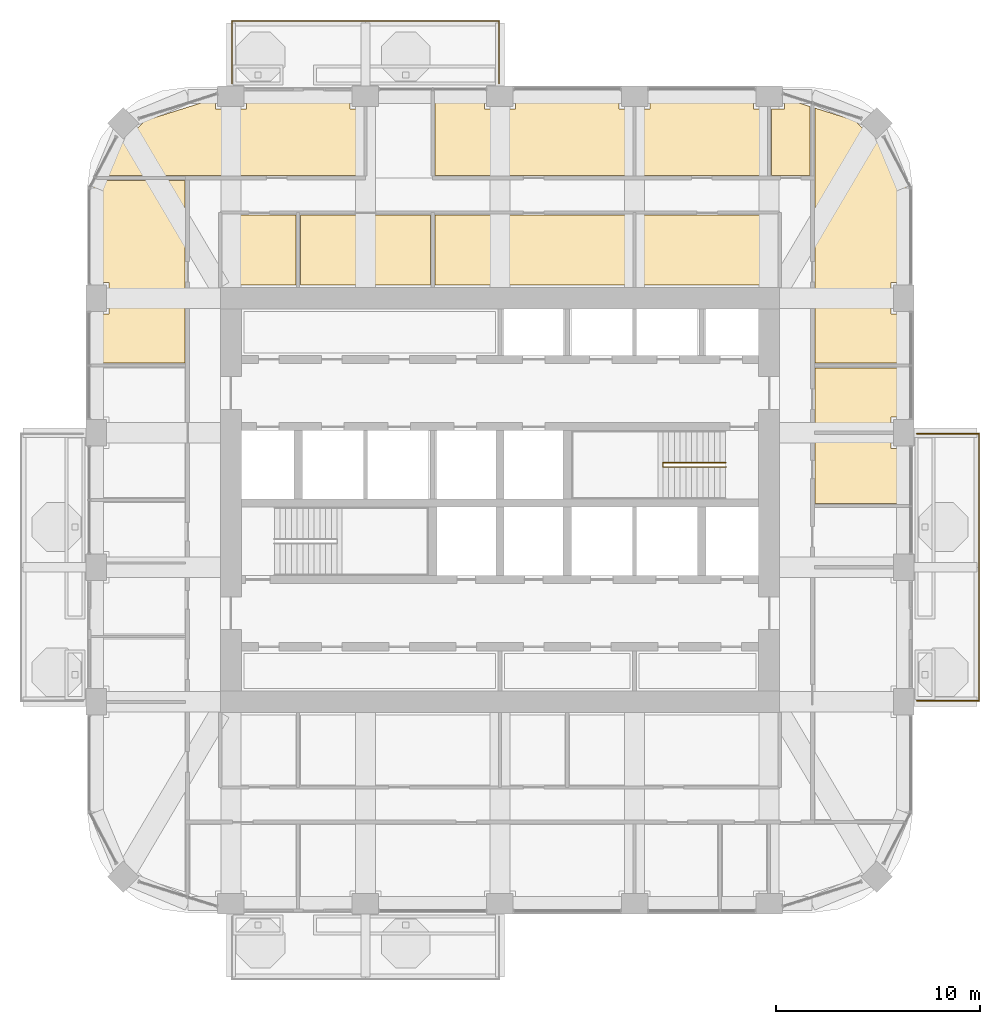
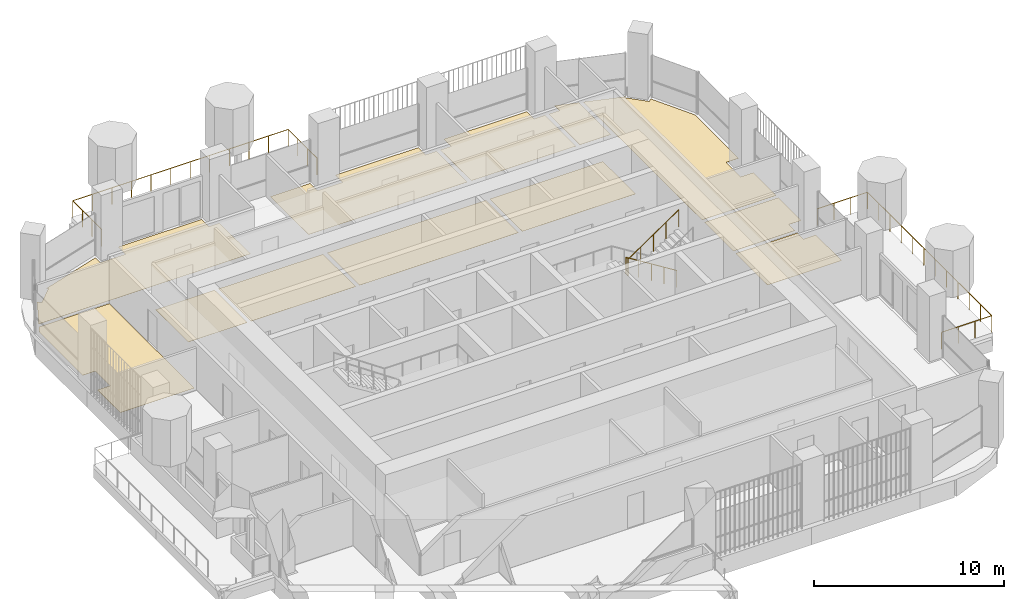
# One storey, part 18 of 19: 12 coverings, 3 railings.
"""IFC4 building model written with IfcOpenShell, lengths in metres."""

import ifcopenshell
import ifcopenshell.guid

model = None  # the IFC model being written
_history = None  # IfcOwnerHistory: only IFC2X3 demands one
_inside = {}  # id of a spatial element -> (the spatial element, [elements in it])
_under = {}  # id of a project, library or spatial element -> (it, [spatial elements below it])
_declared = {}  # id of a project -> (the project, [libraries it declares])
_typed = {}  # id of a type object -> (the type object, [elements of that type])
_made_of = {}  # id of a material, layer set ... -> (it, [elements and type objects made of it])


def new_model(schema):
    """Start an empty IFC model of exactly this schema.

    Asked for "IFC4X3", IfcOpenShell would pick the latest addendum, in which some entities
    have other attributes; the version numbers below select the first issue.
    IFC2X3 requires an IfcOwnerHistory on every rooted entity: one is made here for all.
    """
    global model, _history
    if schema == "IFC4X3":
        model = ifcopenshell.file(schema_version=(4, 3, 0, 0))
    else:
        model = ifcopenshell.file(schema=schema)
    _inside.clear()
    _under.clear()
    _declared.clear()
    _typed.clear()
    _made_of.clear()
    _history = None
    if model.schema == "IFC2X3":
        org = make("IfcOrganization", Name="unknown")
        user = make(
            "IfcPersonAndOrganization",
            ThePerson=make("IfcPerson", FamilyName="unknown"),
            TheOrganization=org,
        )
        app = make(
            "IfcApplication",
            ApplicationDeveloper=org,
            Version="unknown",
            ApplicationFullName="unknown",
            ApplicationIdentifier="unknown",
        )
        _history = make(
            "IfcOwnerHistory",
            OwningUser=user,
            OwningApplication=app,
            ChangeAction="ADDED",
            CreationDate=0,
        )
    return model


def make(cls, **values):
    """One entity of the class cls with the attributes given. An attribute that is None is left unset."""
    return model.create_entity(
        cls, **{name: value for name, value in values.items() if value is not None}
    )


def rooted(cls, **values):
    """An entity with a GlobalId (a new one), such as an element, a storey or a relation."""
    return make(cls, GlobalId=ifcopenshell.guid.new(), OwnerHistory=_history, **values)


def si_unit(unit_type, name, prefix=None):
    """IfcSIUnit, for example si_unit("LENGTHUNIT", "METRE", prefix="MILLI")."""
    return make("IfcSIUnit", UnitType=unit_type, Prefix=prefix, Name=name)


def assignment(units):
    """IfcUnitAssignment: the units of a project."""
    return None if units is None else make("IfcUnitAssignment", Units=units)


def point(xyz):
    """IfcCartesianPoint."""
    return None if xyz is None else make("IfcCartesianPoint", Coordinates=xyz)


def direction(xyz):
    """IfcDirection."""
    return None if xyz is None else make("IfcDirection", DirectionRatios=xyz)


def frame(location, z_axis=None, x_axis=None):
    """IfcAxis2Placement3D, a coordinate frame: its origin and axes. An axis left out is left unset."""
    return make(
        "IfcAxis2Placement3D",
        Location=point(location),
        Axis=direction(z_axis),
        RefDirection=direction(x_axis),
    )


def origin():
    """The frame at (0, 0, 0) with its axes left unset."""
    return frame((0.0, 0.0, 0.0))


def place(relative_to, where):
    """IfcLocalPlacement: puts the frame where relative to a parent placement (None: the world)."""
    return make(
        "IfcLocalPlacement", PlacementRelTo=relative_to, RelativePlacement=where
    )


def context(
    kind, dimensions, precision=None, world=None, true_north=None, identifier=None
):
    """IfcGeometricRepresentationContext, for example the 3D "Model" context."""
    return make(
        "IfcGeometricRepresentationContext",
        ContextIdentifier=identifier,
        ContextType=kind,
        CoordinateSpaceDimension=dimensions,
        Precision=precision,
        WorldCoordinateSystem=world,
        TrueNorth=true_north,
    )


def subcontext(parent, identifier, kind, view, scale=None):
    """IfcGeometricRepresentationSubContext, for example "Body" below "Model"."""
    return make(
        "IfcGeometricRepresentationSubContext",
        ContextIdentifier=identifier,
        ContextType=kind,
        ParentContext=parent,
        TargetScale=scale,
        TargetView=view,
    )


def project(units=None, contexts=None):
    """IfcProject with its units and contexts."""
    return rooted(
        "IfcProject",
        Name="project",
        RepresentationContexts=contexts,
        UnitsInContext=assignment(units),
    )


def spatial(cls, under=None, at=None, **own):
    """A site, building, storey or space (cls), placed at a placement, below another one or the project."""
    s = rooted(cls, ObjectPlacement=at, **own)
    if under is not None:
        _under.setdefault(under.id(), (under, []))[1].append(s)
    return s


def polyline(points):
    """IfcPolyline through the points."""
    return make("IfcPolyline", Points=[point(p) for p in points])


def outline(outer, holes=None, kind="AREA"):
    """IfcArbitraryClosedProfileDef: a profile drawn as a closed curve; with holes, ...WithVoids."""
    if holes is None:
        return make("IfcArbitraryClosedProfileDef", ProfileType=kind, OuterCurve=outer)
    return make(
        "IfcArbitraryProfileDefWithVoids",
        ProfileType=kind,
        OuterCurve=outer,
        InnerCurves=holes,
    )


def extrude(swept, where, along, depth):
    """IfcExtrudedAreaSolid: the profile swept, set in the frame where, extruded along a direction by depth."""
    return make(
        "IfcExtrudedAreaSolid",
        SweptArea=swept,
        Position=where,
        ExtrudedDirection=direction(along),
        Depth=depth,
    )


def shape(context_of_items, identifier, shape_type, items):
    """IfcShapeRepresentation: the items that make up one representation, for example the "Body"."""
    return make(
        "IfcShapeRepresentation",
        ContextOfItems=context_of_items,
        RepresentationIdentifier=identifier,
        RepresentationType=shape_type,
        Items=items,
    )


def material(Name=None, Category=None):
    """IfcMaterial."""
    return make("IfcMaterial", Name=Name, Category=Category)


def layer(
    of_material, thickness, ventilated=None, Name=None, Category=None, Priority=None
):
    """IfcMaterialLayer: one layer of a wall or slab, of a material (None: an air gap)."""
    return make(
        "IfcMaterialLayer",
        Material=of_material,
        LayerThickness=thickness,
        IsVentilated=ventilated,
        Name=Name,
        Category=Category,
        Priority=Priority,
    )


def layer_set(layers, Name=None):
    """IfcMaterialLayerSet."""
    return make("IfcMaterialLayerSet", MaterialLayers=layers, LayerSetName=Name)


def made_of(thing, what):
    """Note that an element or type object is made of a material, layer set ...; save() writes the relation."""
    if what is not None:
        _made_of.setdefault(what.id(), (what, []))[1].append(thing)
    return thing


def type_object(cls, material=None, **own):
    """A type object (cls), such as IfcWallType, which elements share."""
    return made_of(rooted(cls, **own), material)


def element(
    cls,
    number,
    at=None,
    inside=None,
    cuts=None,
    type_object=None,
    material=None,
    context=None,
    identifier="Body",
    shape_type=None,
    held_by="IfcProductDefinitionShape",
    body=None,
    shapes=None,
    **own,
):
    """One element of the class cls, such as IfcWall. Its Tag is "e" and its number.

    at: its placement. inside: the storey or other place that contains it. cuts: it is an
    opening in that element (IfcRelVoidsElement). A single representation is given by context,
    identifier, shape_type and body (its items); several are given by shapes. held_by: the class
    of the entity that holds the representations. save() writes the other relations.
    """
    e = rooted(cls, Tag="e%d" % number, ObjectPlacement=at, **own)
    if body is not None:
        shapes = [shape(context, identifier, shape_type, body)]
    if shapes is not None:
        e.Representation = make(held_by, Representations=shapes)
    if inside is not None:
        _inside.setdefault(inside.id(), (inside, []))[1].append(e)
    if cuts is not None:
        rooted(
            "IfcRelVoidsElement", RelatingBuildingElement=cuts, RelatedOpeningElement=e
        )
    if type_object is not None:
        _typed.setdefault(type_object.id(), (type_object, []))[1].append(e)
    return made_of(e, material)


def aggregate(whole, parts):
    """IfcRelAggregates: a whole, such as a stair, and the parts it consists of."""
    return rooted("IfcRelAggregates", RelatingObject=whole, RelatedObjects=parts)


def save(model, path):
    """Write the relations noted so far, then the file.

    IfcRelAggregates (storeys below a building ...), IfcRelContainedInSpatialStructure (elements
    in a storey), IfcRelDefinesByType, IfcRelAssociatesMaterial and IfcRelDeclares: one each for
    every whole, place, type object, material and project.
    """
    for whole, parts in _under.values():
        aggregate(whole, parts)
    for where, things in _inside.values():
        rooted(
            "IfcRelContainedInSpatialStructure",
            RelatedElements=things,
            RelatingStructure=where,
        )
    for kind, things in _typed.values():
        rooted("IfcRelDefinesByType", RelatedObjects=things, RelatingType=kind)
    for what, things in _made_of.values():
        rooted("IfcRelAssociatesMaterial", RelatedObjects=things, RelatingMaterial=what)
    for by, libraries in _declared.values():
        rooted("IfcRelDeclares", RelatingContext=by, RelatedDefinitions=libraries)
    model.write(path)


model = new_model("IFC4")

# Units and contexts
model_context = context("Model", 3, precision=1e-05, world=origin(), true_north=direction((0.0, 1.0)))
body_context = subcontext(model_context, "Body", "Model", "MODEL_VIEW")
ifc_project = project(units=[si_unit("LENGTHUNIT", "METRE"), si_unit("AREAUNIT", "SQUARE_METRE"), si_unit("VOLUMEUNIT", "CUBIC_METRE"), si_unit("PLANEANGLEUNIT", "RADIAN"), si_unit("MASSUNIT", "GRAM", prefix="KILO")], contexts=[model_context])

# Site, building, storey
site_placement = place(None, origin())
site = spatial("IfcSite", under=ifc_project, at=site_placement, CompositionType="ELEMENT")
building_placement = place(site_placement, origin())
building = spatial("IfcBuilding", under=site, at=building_placement, Name="Cobogo Forest Laboratory Tower", CompositionType="ELEMENT")
storey_placement = place(building_placement, frame((0.0, 0.0, 237.60009765625)))
storey = spatial("IfcBuildingStorey", under=building, at=storey_placement, Name="L54", CompositionType="ELEMENT", Elevation=237.60009765625)

# Railings
ifc_material_1 = material(Name="Laminated glass balustrade", Category="glass")
railing_type_1 = type_object("IfcRailingType", Name="BG1 glass balustrade 1100", PredefinedType="GUARDRAIL", material=ifc_material_1)
railing_1_placement = place(storey_placement, frame((46.85009765625, 13.25, 0.0)))
element("IfcRailing", 1, at=railing_1_placement, inside=storey, type_object=railing_type_1, Name="Balcony balustrade BAL-E1 L54", PredefinedType="GUARDRAIL", context=body_context, shape_type="SweptSolid", body=[
    extrude(outline(polyline([(0.022216796875, 0.00927734375), (0.00927734375, 0.022216796875), (-0.00927734375, 0.022216796875), (-0.022216796875, 0.00927734375), (-0.022216796875, -0.00927734375), (-0.00927734375, -0.022216796875), (0.00927734375, -0.022216796875), (0.022216796875, -0.00927734375), (0.022216796875, 0.00927734375)])), frame((0.0, 0.0, 1.077880859375), z_axis=(1.0, 0.0, 0.0), x_axis=(0.0, 1.0, 0.0)), (0.0, 0.0, 1.0), 3.0498046875),
    extrude(outline(polyline([(0.022216796875, 0.00927734375), (0.00927734375, 0.022216796875), (-0.00927734375, 0.022216796875), (-0.022216796875, 0.00927734375), (-0.022216796875, -0.00927734375), (-0.00927734375, -0.022216796875), (0.00927734375, -0.022216796875), (0.022216796875, -0.00927734375), (0.022216796875, 0.00927734375)])), frame((3.0498046875, 0.0, 1.077880859375), z_axis=(0.0, 1.0, 0.0), x_axis=(-1.0, 0.0, 0.0)), (0.0, 0.0, 1.0), 13.10009765625),
    extrude(outline(polyline([(0.022216796875, 0.00927734375), (0.00927734375, 0.022216796875), (-0.00927734375, 0.022216796875), (-0.022216796875, 0.00927734375), (-0.022216796875, -0.00927734375), (-0.00927734375, -0.022216796875), (0.00927734375, -0.022216796875), (0.022216796875, -0.00927734375), (0.022216796875, 0.00927734375)])), frame((3.0498046875, 13.10009765625, 1.077880859375), z_axis=(-1.0, 0.0, 0.0), x_axis=(0.0, -1.0, 0.0)), (0.0, 0.0, 1.0), 3.0498046875),
    extrude(outline(polyline([(0.019287109375, 0.008056640625), (0.008056640625, 0.019287109375), (-0.008056640625, 0.019287109375), (-0.019287109375, 0.008056640625), (-0.019287109375, -0.008056640625), (-0.008056640625, -0.019287109375), (0.008056640625, -0.019287109375), (0.019287109375, -0.008056640625), (0.019287109375, 0.008056640625)])), origin(), (0.0, 0.0, 1.0), 1.077880859375),
    extrude(outline(polyline([(0.019287109375, 0.008056640625), (0.008056640625, 0.019287109375), (-0.008056640625, 0.019287109375), (-0.019287109375, 0.008056640625), (-0.019287109375, -0.008056640625), (-0.008056640625, -0.019287109375), (0.008056640625, -0.019287109375), (0.019287109375, -0.008056640625), (0.019287109375, 0.008056640625)])), frame((1.0166015625, 0.0, 0.0)), (0.0, 0.0, 1.0), 1.077880859375),
    extrude(outline(polyline([(0.019287109375, 0.008056640625), (0.008056640625, 0.019287109375), (-0.008056640625, 0.019287109375), (-0.019287109375, 0.008056640625), (-0.019287109375, -0.008056640625), (-0.008056640625, -0.019287109375), (0.008056640625, -0.019287109375), (0.019287109375, -0.008056640625), (0.019287109375, 0.008056640625)])), frame((2.033203125, 0.0, 0.0)), (0.0, 0.0, 1.0), 1.077880859375),
    extrude(outline(polyline([(0.019287109375, 0.008056640625), (0.008056640625, 0.019287109375), (-0.008056640625, 0.019287109375), (-0.019287109375, 0.008056640625), (-0.019287109375, -0.008056640625), (-0.008056640625, -0.019287109375), (0.008056640625, -0.019287109375), (0.019287109375, -0.008056640625), (0.019287109375, 0.008056640625)])), frame((3.0498046875, 0.0, 0.0)), (0.0, 0.0, 1.0), 1.077880859375),
    extrude(outline(polyline([(0.019287109375, 0.008056640625), (0.008056640625, 0.019287109375), (-0.008056640625, 0.019287109375), (-0.019287109375, 0.008056640625), (-0.019287109375, -0.008056640625), (-0.008056640625, -0.019287109375), (0.008056640625, -0.019287109375), (0.019287109375, -0.008056640625), (0.019287109375, 0.008056640625)])), frame((3.0498046875, 1.19091796875, 0.0)), (0.0, 0.0, 1.0), 1.077880859375),
    extrude(outline(polyline([(0.019287109375, 0.008056640625), (0.008056640625, 0.019287109375), (-0.008056640625, 0.019287109375), (-0.019287109375, 0.008056640625), (-0.019287109375, -0.008056640625), (-0.008056640625, -0.019287109375), (0.008056640625, -0.019287109375), (0.019287109375, -0.008056640625), (0.019287109375, 0.008056640625)])), frame((3.0498046875, 2.3818359375, 0.0)), (0.0, 0.0, 1.0), 1.077880859375),
    extrude(outline(polyline([(0.019287109375, 0.008056640625), (0.008056640625, 0.019287109375), (-0.008056640625, 0.019287109375), (-0.019287109375, 0.008056640625), (-0.019287109375, -0.008056640625), (-0.008056640625, -0.019287109375), (0.008056640625, -0.019287109375), (0.019287109375, -0.008056640625), (0.019287109375, 0.008056640625)])), frame((3.0498046875, 3.57275390625, 0.0)), (0.0, 0.0, 1.0), 1.077880859375),
    extrude(outline(polyline([(0.019287109375, 0.008056640625), (0.008056640625, 0.019287109375), (-0.008056640625, 0.019287109375), (-0.019287109375, 0.008056640625), (-0.019287109375, -0.008056640625), (-0.008056640625, -0.019287109375), (0.008056640625, -0.019287109375), (0.019287109375, -0.008056640625), (0.019287109375, 0.008056640625)])), frame((3.0498046875, 4.763671875, 0.0)), (0.0, 0.0, 1.0), 1.077880859375),
    extrude(outline(polyline([(0.019287109375, 0.008056640625), (0.008056640625, 0.019287109375), (-0.008056640625, 0.019287109375), (-0.019287109375, 0.008056640625), (-0.019287109375, -0.008056640625), (-0.008056640625, -0.019287109375), (0.008056640625, -0.019287109375), (0.019287109375, -0.008056640625), (0.019287109375, 0.008056640625)])), frame((3.0498046875, 5.95458984375, 0.0)), (0.0, 0.0, 1.0), 1.077880859375),
    extrude(outline(polyline([(0.019287109375, 0.008056640625), (0.008056640625, 0.019287109375), (-0.008056640625, 0.019287109375), (-0.019287109375, 0.008056640625), (-0.019287109375, -0.008056640625), (-0.008056640625, -0.019287109375), (0.008056640625, -0.019287109375), (0.019287109375, -0.008056640625), (0.019287109375, 0.008056640625)])), frame((3.0498046875, 7.1455078125, 0.0)), (0.0, 0.0, 1.0), 1.077880859375),
    extrude(outline(polyline([(0.019287109375, 0.008056640625), (0.008056640625, 0.019287109375), (-0.008056640625, 0.019287109375), (-0.019287109375, 0.008056640625), (-0.019287109375, -0.008056640625), (-0.008056640625, -0.019287109375), (0.008056640625, -0.019287109375), (0.019287109375, -0.008056640625), (0.019287109375, 0.008056640625)])), frame((3.0498046875, 8.33642578125, 0.0)), (0.0, 0.0, 1.0), 1.077880859375),
    extrude(outline(polyline([(0.019287109375, 0.008056640625), (0.008056640625, 0.019287109375), (-0.008056640625, 0.019287109375), (-0.019287109375, 0.008056640625), (-0.019287109375, -0.008056640625), (-0.008056640625, -0.019287109375), (0.008056640625, -0.019287109375), (0.019287109375, -0.008056640625), (0.019287109375, 0.008056640625)])), frame((3.0498046875, 9.52734375, 0.0)), (0.0, 0.0, 1.0), 1.077880859375),
    extrude(outline(polyline([(0.019287109375, 0.008056640625), (0.008056640625, 0.019287109375), (-0.008056640625, 0.019287109375), (-0.019287109375, 0.008056640625), (-0.019287109375, -0.008056640625), (-0.008056640625, -0.019287109375), (0.008056640625, -0.019287109375), (0.019287109375, -0.008056640625), (0.019287109375, 0.008056640625)])), frame((3.0498046875, 10.71826171875, 0.0)), (0.0, 0.0, 1.0), 1.077880859375),
    extrude(outline(polyline([(0.019287109375, 0.008056640625), (0.008056640625, 0.019287109375), (-0.008056640625, 0.019287109375), (-0.019287109375, 0.008056640625), (-0.019287109375, -0.008056640625), (-0.008056640625, -0.019287109375), (0.008056640625, -0.019287109375), (0.019287109375, -0.008056640625), (0.019287109375, 0.008056640625)])), frame((3.0498046875, 11.9091796875, 0.0)), (0.0, 0.0, 1.0), 1.077880859375),
    extrude(outline(polyline([(0.019287109375, 0.008056640625), (0.008056640625, 0.019287109375), (-0.008056640625, 0.019287109375), (-0.019287109375, 0.008056640625), (-0.019287109375, -0.008056640625), (-0.008056640625, -0.019287109375), (0.008056640625, -0.019287109375), (0.019287109375, -0.008056640625), (0.019287109375, 0.008056640625)])), frame((3.0498046875, 13.10009765625, 0.0)), (0.0, 0.0, 1.0), 1.077880859375),
    extrude(outline(polyline([(0.019287109375, 0.008056640625), (0.008056640625, 0.019287109375), (-0.008056640625, 0.019287109375), (-0.019287109375, 0.008056640625), (-0.019287109375, -0.008056640625), (-0.008056640625, -0.019287109375), (0.008056640625, -0.019287109375), (0.019287109375, -0.008056640625), (0.019287109375, 0.008056640625)])), frame((2.033203125, 13.10009765625, 0.0)), (0.0, 0.0, 1.0), 1.077880859375),
    extrude(outline(polyline([(0.019287109375, 0.008056640625), (0.008056640625, 0.019287109375), (-0.008056640625, 0.019287109375), (-0.019287109375, 0.008056640625), (-0.019287109375, -0.008056640625), (-0.008056640625, -0.019287109375), (0.008056640625, -0.019287109375), (0.019287109375, -0.008056640625), (0.019287109375, 0.008056640625)])), frame((1.0166015625, 13.10009765625, 0.0)), (0.0, 0.0, 1.0), 1.077880859375),
    extrude(outline(polyline([(0.019287109375, 0.008056640625), (0.008056640625, 0.019287109375), (-0.008056640625, 0.019287109375), (-0.019287109375, 0.008056640625), (-0.019287109375, -0.008056640625), (-0.008056640625, -0.019287109375), (0.008056640625, -0.019287109375), (0.019287109375, -0.008056640625), (0.019287109375, 0.008056640625)])), frame((0.0, 13.10009765625, 0.0)), (0.0, 0.0, 1.0), 1.077880859375),
])
railing_2_placement = place(storey_placement, frame((13.25, 43.550048828125, 0.0)))
element("IfcRailing", 2, at=railing_2_placement, inside=storey, type_object=railing_type_1, Name="Balcony balustrade BAL-N1 L54", PredefinedType="GUARDRAIL", context=body_context, shape_type="SweptSolid", body=[
    extrude(outline(polyline([(0.022216796875, 0.00927734375), (0.00927734375, 0.022216796875), (-0.00927734375, 0.022216796875), (-0.022216796875, 0.00927734375), (-0.022216796875, -0.00927734375), (-0.00927734375, -0.022216796875), (0.00927734375, -0.022216796875), (0.022216796875, -0.00927734375), (0.022216796875, 0.00927734375)])), frame((0.0, 0.0, 1.077880859375), z_axis=(0.0, 1.0, 0.0), x_axis=(-1.0, 0.0, 0.0)), (0.0, 0.0, 1.0), 3.050048828125),
    extrude(outline(polyline([(0.022216796875, 0.00927734375), (0.00927734375, 0.022216796875), (-0.00927734375, 0.022216796875), (-0.022216796875, 0.00927734375), (-0.022216796875, -0.00927734375), (-0.00927734375, -0.022216796875), (0.00927734375, -0.022216796875), (0.022216796875, -0.00927734375), (0.022216796875, 0.00927734375)])), frame((0.0, 3.050048828125, 1.077880859375), z_axis=(1.0, 0.0, 0.0), x_axis=(0.0, 1.0, 0.0)), (0.0, 0.0, 1.0), 13.10009765625),
    extrude(outline(polyline([(0.022216796875, 0.00927734375), (0.00927734375, 0.022216796875), (-0.00927734375, 0.022216796875), (-0.022216796875, 0.00927734375), (-0.022216796875, -0.00927734375), (-0.00927734375, -0.022216796875), (0.00927734375, -0.022216796875), (0.022216796875, -0.00927734375), (0.022216796875, 0.00927734375)])), frame((13.10009765625, 3.050048828125, 1.077880859375), z_axis=(0.0, -1.0, 0.0), x_axis=(1.0, 0.0, 0.0)), (0.0, 0.0, 1.0), 3.050048828125),
    extrude(outline(polyline([(0.019287109375, 0.008056640625), (0.008056640625, 0.019287109375), (-0.008056640625, 0.019287109375), (-0.019287109375, 0.008056640625), (-0.019287109375, -0.008056640625), (-0.008056640625, -0.019287109375), (0.008056640625, -0.019287109375), (0.019287109375, -0.008056640625), (0.019287109375, 0.008056640625)])), origin(), (0.0, 0.0, 1.0), 1.077880859375),
    extrude(outline(polyline([(0.019287109375, 0.008056640625), (0.008056640625, 0.019287109375), (-0.008056640625, 0.019287109375), (-0.019287109375, 0.008056640625), (-0.019287109375, -0.008056640625), (-0.008056640625, -0.019287109375), (0.008056640625, -0.019287109375), (0.019287109375, -0.008056640625), (0.019287109375, 0.008056640625)])), frame((0.0, 1.0166015625, 0.0)), (0.0, 0.0, 1.0), 1.077880859375),
    extrude(outline(polyline([(0.019287109375, 0.008056640625), (0.008056640625, 0.019287109375), (-0.008056640625, 0.019287109375), (-0.019287109375, 0.008056640625), (-0.019287109375, -0.008056640625), (-0.008056640625, -0.019287109375), (0.008056640625, -0.019287109375), (0.019287109375, -0.008056640625), (0.019287109375, 0.008056640625)])), frame((0.0, 2.033447265625, 0.0)), (0.0, 0.0, 1.0), 1.077880859375),
    extrude(outline(polyline([(0.019287109375, 0.008056640625), (0.008056640625, 0.019287109375), (-0.008056640625, 0.019287109375), (-0.019287109375, 0.008056640625), (-0.019287109375, -0.008056640625), (-0.008056640625, -0.019287109375), (0.008056640625, -0.019287109375), (0.019287109375, -0.008056640625), (0.019287109375, 0.008056640625)])), frame((0.0, 3.050048828125, 0.0)), (0.0, 0.0, 1.0), 1.077880859375),
    extrude(outline(polyline([(0.019287109375, 0.008056640625), (0.008056640625, 0.019287109375), (-0.008056640625, 0.019287109375), (-0.019287109375, 0.008056640625), (-0.019287109375, -0.008056640625), (-0.008056640625, -0.019287109375), (0.008056640625, -0.019287109375), (0.019287109375, -0.008056640625), (0.019287109375, 0.008056640625)])), frame((1.19091796875, 3.050048828125, 0.0)), (0.0, 0.0, 1.0), 1.077880859375),
    extrude(outline(polyline([(0.019287109375, 0.008056640625), (0.008056640625, 0.019287109375), (-0.008056640625, 0.019287109375), (-0.019287109375, 0.008056640625), (-0.019287109375, -0.008056640625), (-0.008056640625, -0.019287109375), (0.008056640625, -0.019287109375), (0.019287109375, -0.008056640625), (0.019287109375, 0.008056640625)])), frame((2.3818359375, 3.050048828125, 0.0)), (0.0, 0.0, 1.0), 1.077880859375),
    extrude(outline(polyline([(0.019287109375, 0.008056640625), (0.008056640625, 0.019287109375), (-0.008056640625, 0.019287109375), (-0.019287109375, 0.008056640625), (-0.019287109375, -0.008056640625), (-0.008056640625, -0.019287109375), (0.008056640625, -0.019287109375), (0.019287109375, -0.008056640625), (0.019287109375, 0.008056640625)])), frame((3.57275390625, 3.050048828125, 0.0)), (0.0, 0.0, 1.0), 1.077880859375),
    extrude(outline(polyline([(0.019287109375, 0.008056640625), (0.008056640625, 0.019287109375), (-0.008056640625, 0.019287109375), (-0.019287109375, 0.008056640625), (-0.019287109375, -0.008056640625), (-0.008056640625, -0.019287109375), (0.008056640625, -0.019287109375), (0.019287109375, -0.008056640625), (0.019287109375, 0.008056640625)])), frame((4.763671875, 3.050048828125, 0.0)), (0.0, 0.0, 1.0), 1.077880859375),
    extrude(outline(polyline([(0.019287109375, 0.008056640625), (0.008056640625, 0.019287109375), (-0.008056640625, 0.019287109375), (-0.019287109375, 0.008056640625), (-0.019287109375, -0.008056640625), (-0.008056640625, -0.019287109375), (0.008056640625, -0.019287109375), (0.019287109375, -0.008056640625), (0.019287109375, 0.008056640625)])), frame((5.95458984375, 3.050048828125, 0.0)), (0.0, 0.0, 1.0), 1.077880859375),
    extrude(outline(polyline([(0.019287109375, 0.008056640625), (0.008056640625, 0.019287109375), (-0.008056640625, 0.019287109375), (-0.019287109375, 0.008056640625), (-0.019287109375, -0.008056640625), (-0.008056640625, -0.019287109375), (0.008056640625, -0.019287109375), (0.019287109375, -0.008056640625), (0.019287109375, 0.008056640625)])), frame((7.1455078125, 3.050048828125, 0.0)), (0.0, 0.0, 1.0), 1.077880859375),
    extrude(outline(polyline([(0.019287109375, 0.008056640625), (0.008056640625, 0.019287109375), (-0.008056640625, 0.019287109375), (-0.019287109375, 0.008056640625), (-0.019287109375, -0.008056640625), (-0.008056640625, -0.019287109375), (0.008056640625, -0.019287109375), (0.019287109375, -0.008056640625), (0.019287109375, 0.008056640625)])), frame((8.33642578125, 3.050048828125, 0.0)), (0.0, 0.0, 1.0), 1.077880859375),
    extrude(outline(polyline([(0.019287109375, 0.008056640625), (0.008056640625, 0.019287109375), (-0.008056640625, 0.019287109375), (-0.019287109375, 0.008056640625), (-0.019287109375, -0.008056640625), (-0.008056640625, -0.019287109375), (0.008056640625, -0.019287109375), (0.019287109375, -0.008056640625), (0.019287109375, 0.008056640625)])), frame((9.52734375, 3.050048828125, 0.0)), (0.0, 0.0, 1.0), 1.077880859375),
    extrude(outline(polyline([(0.019287109375, 0.008056640625), (0.008056640625, 0.019287109375), (-0.008056640625, 0.019287109375), (-0.019287109375, 0.008056640625), (-0.019287109375, -0.008056640625), (-0.008056640625, -0.019287109375), (0.008056640625, -0.019287109375), (0.019287109375, -0.008056640625), (0.019287109375, 0.008056640625)])), frame((10.71826171875, 3.050048828125, 0.0)), (0.0, 0.0, 1.0), 1.077880859375),
    extrude(outline(polyline([(0.019287109375, 0.008056640625), (0.008056640625, 0.019287109375), (-0.008056640625, 0.019287109375), (-0.019287109375, 0.008056640625), (-0.019287109375, -0.008056640625), (-0.008056640625, -0.019287109375), (0.008056640625, -0.019287109375), (0.019287109375, -0.008056640625), (0.019287109375, 0.008056640625)])), frame((11.9091796875, 3.050048828125, 0.0)), (0.0, 0.0, 1.0), 1.077880859375),
    extrude(outline(polyline([(0.019287109375, 0.008056640625), (0.008056640625, 0.019287109375), (-0.008056640625, 0.019287109375), (-0.019287109375, 0.008056640625), (-0.019287109375, -0.008056640625), (-0.008056640625, -0.019287109375), (0.008056640625, -0.019287109375), (0.019287109375, -0.008056640625), (0.019287109375, 0.008056640625)])), frame((13.10009765625, 3.050048828125, 0.0)), (0.0, 0.0, 1.0), 1.077880859375),
    extrude(outline(polyline([(0.019287109375, 0.008056640625), (0.008056640625, 0.019287109375), (-0.008056640625, 0.019287109375), (-0.019287109375, 0.008056640625), (-0.019287109375, -0.008056640625), (-0.008056640625, -0.019287109375), (0.008056640625, -0.019287109375), (0.019287109375, -0.008056640625), (0.019287109375, 0.008056640625)])), frame((13.10009765625, 2.033447265625, 0.0)), (0.0, 0.0, 1.0), 1.077880859375),
    extrude(outline(polyline([(0.019287109375, 0.008056640625), (0.008056640625, 0.019287109375), (-0.008056640625, 0.019287109375), (-0.019287109375, 0.008056640625), (-0.019287109375, -0.008056640625), (-0.008056640625, -0.019287109375), (0.008056640625, -0.019287109375), (0.019287109375, -0.008056640625), (0.019287109375, 0.008056640625)])), frame((13.10009765625, 1.0166015625, 0.0)), (0.0, 0.0, 1.0), 1.077880859375),
    extrude(outline(polyline([(0.019287109375, 0.008056640625), (0.008056640625, 0.019287109375), (-0.008056640625, 0.019287109375), (-0.019287109375, 0.008056640625), (-0.019287109375, -0.008056640625), (-0.008056640625, -0.019287109375), (0.008056640625, -0.019287109375), (0.019287109375, -0.008056640625), (0.019287109375, 0.008056640625)])), frame((13.10009765625, 0.0, 0.0)), (0.0, 0.0, 1.0), 1.077880859375),
])

# Coverings
ifc_material_2 = material(Name="Carpet tile on raised access floor", Category="flooring")
ifc_layer_1 = layer(ifc_material_2, 0.008056640625)
ifc_layer_set_1 = layer_set([ifc_layer_1], Name="CT1 carpet tile floor 8")
covering_type_1 = type_object("IfcCoveringType", Name="CT1 carpet tile floor 8", PredefinedType="FLOORING", material=ifc_layer_set_1)
covering_1_placement = place(storey_placement, origin())
element("IfcCovering", 3, at=covering_1_placement, inside=storey, type_object=covering_type_1, Name="Carpet floor L54-01", PredefinedType="FLOORING", context=body_context, shape_type="SweptSolid", body=[
    extrude(outline(polyline([(16.3798828125, 33.64501953125), (12.794921875, 33.64501953125), (12.794921875, 37.080078125), (16.3798828125, 37.080078125), (16.3798828125, 33.64501953125)])), origin(), (0.0, 0.0, 1.0), 0.0078125),
])
covering_2_placement = place(storey_placement, origin())
element("IfcCovering", 4, at=covering_2_placement, inside=storey, type_object=covering_type_1, Name="Carpet floor L54-02", PredefinedType="FLOORING", context=body_context, shape_type="SweptSolid", body=[
    extrude(outline(polyline([(22.97998046875, 33.64501953125), (16.6201171875, 33.64501953125), (16.6201171875, 37.080078125), (22.97998046875, 37.080078125), (22.97998046875, 33.64501953125)])), origin(), (0.0, 0.0, 1.0), 0.0078125),
])
covering_3_placement = place(storey_placement, origin())
element("IfcCovering", 5, at=covering_3_placement, inside=storey, type_object=covering_type_1, Name="Carpet floor L54-03", PredefinedType="FLOORING", context=body_context, shape_type="SweptSolid", body=[
    extrude(outline(polyline([(32.8798828125, 33.64501953125), (23.219970703125, 33.64501953125), (23.219970703125, 37.080078125), (32.8798828125, 37.080078125), (32.8798828125, 33.64501953125)])), origin(), (0.0, 0.0, 1.0), 0.0078125),
])
covering_4_placement = place(storey_placement, origin())
element("IfcCovering", 6, at=covering_4_placement, inside=storey, type_object=covering_type_1, Name="Carpet floor L54-04", PredefinedType="FLOORING", context=body_context, shape_type="SweptSolid", body=[
    extrude(outline(polyline([(40.0048828125, 33.64501953125), (33.1201171875, 33.64501953125), (33.1201171875, 37.080078125), (40.0048828125, 37.080078125), (40.0048828125, 33.64501953125)])), origin(), (0.0, 0.0, 1.0), 0.0078125),
])
covering_5_placement = place(storey_placement, origin())
element("IfcCovering", 7, at=covering_5_placement, inside=storey, type_object=covering_type_1, Name="Carpet floor L54-17", PredefinedType="FLOORING", context=body_context, shape_type="SweptSolid", body=[
    extrude(outline(polyline([(41.844970703125, 29.580078125), (46.35009765625, 29.580078125), (46.35009765625, 27.169921875), (45.580078125, 27.169921875), (45.580078125, 26.52001953125), (41.844970703125, 26.52001953125), (41.844970703125, 29.580078125)])), origin(), (0.0, 0.0, 1.0), 0.0078125),
])
covering_6_placement = place(storey_placement, origin())
element("IfcCovering", 8, at=covering_6_placement, inside=storey, type_object=covering_type_1, Name="Carpet floor L54-18", PredefinedType="FLOORING", context=body_context, shape_type="SweptSolid", body=[
    extrude(outline(polyline([(41.844970703125, 42.331298828125), (44.00244140625, 41.64990234375), (43.9345703125, 41.58203125), (44.882080078125, 40.634521484375), (45.059814453125, 40.812255859375), (46.35009765625, 38.350830078125), (46.35009765625, 33.77001953125), (45.580078125, 33.77001953125), (45.580078125, 32.22998046875), (46.35009765625, 32.22998046875), (46.35009765625, 29.820068359375), (41.844970703125, 29.820068359375), (41.844970703125, 42.331298828125)])), origin(), (0.0, 0.0, 1.0), 0.0078125),
])
covering_7_placement = place(storey_placement, origin())
element("IfcCovering", 9, at=covering_7_placement, inside=storey, type_object=covering_type_1, Name="Carpet floor L54-19", PredefinedType="FLOORING", context=body_context, shape_type="SweptSolid", body=[
    extrude(outline(polyline([(6.80078125, 39.02001953125), (7.740234375, 40.812255859375), (7.91796875, 40.634521484375), (8.865478515625, 41.58203125), (8.797607421875, 41.64990234375), (12.429931640625, 42.797119140625), (12.429931640625, 42.280029296875), (13.969970703125, 42.280029296875), (13.969970703125, 43.050048828125), (19.030029296875, 43.050048828125), (19.030029296875, 42.280029296875), (19.679931640625, 42.280029296875), (19.679931640625, 39.02001953125), (6.80078125, 39.02001953125)])), origin(), (0.0, 0.0, 1.0), 0.0078125),
])
covering_8_placement = place(storey_placement, origin())
element("IfcCovering", 10, at=covering_8_placement, inside=storey, type_object=covering_type_1, Name="Carpet floor L54-20", PredefinedType="FLOORING", context=body_context, shape_type="SweptSolid", body=[
    extrude(outline(polyline([(23.219970703125, 39.02001953125), (23.219970703125, 43.050048828125), (25.6298828125, 43.050048828125), (25.6298828125, 42.280029296875), (27.169921875, 42.280029296875), (27.169921875, 43.050048828125), (32.22998046875, 43.050048828125), (32.22998046875, 42.280029296875), (32.8798828125, 42.280029296875), (32.8798828125, 39.02001953125), (23.219970703125, 39.02001953125)])), origin(), (0.0, 0.0, 1.0), 0.0078125),
])
covering_9_placement = place(storey_placement, origin())
element("IfcCovering", 11, at=covering_9_placement, inside=storey, type_object=covering_type_1, Name="Carpet floor L54-21", PredefinedType="FLOORING", context=body_context, shape_type="SweptSolid", body=[
    extrude(outline(polyline([(33.1201171875, 39.02001953125), (33.1201171875, 42.280029296875), (33.77001953125, 42.280029296875), (33.77001953125, 43.050048828125), (38.830078125, 43.050048828125), (38.830078125, 42.280029296875), (39.47998046875, 42.280029296875), (39.47998046875, 39.02001953125), (33.1201171875, 39.02001953125)])), origin(), (0.0, 0.0, 1.0), 0.0078125),
])
covering_10_placement = place(storey_placement, origin())
element("IfcCovering", 12, at=covering_10_placement, inside=storey, type_object=covering_type_1, Name="Carpet floor L54-22", PredefinedType="FLOORING", context=body_context, shape_type="SweptSolid", body=[
    extrude(outline(polyline([(39.719970703125, 39.02001953125), (39.719970703125, 42.280029296875), (40.3701171875, 42.280029296875), (40.3701171875, 42.797119140625), (41.60498046875, 42.406982421875), (41.60498046875, 39.02001953125), (39.719970703125, 39.02001953125)])), origin(), (0.0, 0.0, 1.0), 0.0078125),
])
covering_11_placement = place(storey_placement, origin())
element("IfcCovering", 13, at=covering_11_placement, inside=storey, type_object=covering_type_1, Name="Carpet floor L54-28", PredefinedType="FLOORING", context=body_context, shape_type="SweptSolid", body=[
    extrude(outline(polyline([(10.955078125, 29.820068359375), (6.449951171875, 29.820068359375), (6.449951171875, 32.22998046875), (7.219970703125, 32.22998046875), (7.219970703125, 33.77001953125), (6.449951171875, 33.77001953125), (6.449951171875, 38.350830078125), (6.675048828125, 38.780029296875), (10.955078125, 38.780029296875), (10.955078125, 29.820068359375)])), origin(), (0.0, 0.0, 1.0), 0.0078125),
])

# Railing
ifc_material_3 = material(Name="Steel balustrade", Category="steel")
railing_type_2 = type_object("IfcRailingType", Name="GR stair guard 1100", PredefinedType="GUARDRAIL", material=ifc_material_3)
railing_3_placement = place(storey_placement, frame((37.47509765625, 24.929931640625, 0.1748046875)))
element("IfcRailing", 14, at=railing_3_placement, inside=storey, type_object=railing_type_2, Name="Stair guard ST2 L54", PredefinedType="GUARDRAIL", context=body_context, shape_type="SweptSolid", body=[
    extrude(outline(polyline([(0.022216796875, 0.00927734375), (0.00927734375, 0.022216796875), (-0.00927734375, 0.022216796875), (-0.022216796875, 0.00927734375), (-0.022216796875, -0.00927734375), (-0.00927734375, -0.022216796875), (0.00927734375, -0.022216796875), (0.022216796875, -0.00927734375), (0.022216796875, 0.00927734375)])), frame((0.0, 0.0, 1.077880859375), z_axis=(-0.847998304005, 0.0, 0.529998940003), x_axis=(0.0, -1.0, 0.0)), (0.0, 0.0, 1.0), 3.632080078125),
    extrude(outline(polyline([(0.022216796875, 0.00927734375), (0.00927734375, 0.022216796875), (-0.00927734375, 0.022216796875), (-0.022216796875, 0.00927734375), (-0.022216796875, -0.00927734375), (-0.00927734375, -0.022216796875), (0.00927734375, -0.022216796875), (0.022216796875, -0.00927734375), (0.022216796875, 0.00927734375)])), frame((-3.080078125, 0.0, 3.0029296875), z_axis=(0.0, -1.0, 0.0), x_axis=(1.0, 0.0, 0.0)), (0.0, 0.0, 1.0), 0.2099609375),
    extrude(outline(polyline([(0.022216796875, 0.00927734375), (0.00927734375, 0.022216796875), (-0.00927734375, 0.022216796875), (-0.022216796875, 0.00927734375), (-0.022216796875, -0.00927734375), (-0.00927734375, -0.022216796875), (0.00927734375, -0.022216796875), (0.022216796875, -0.00927734375), (0.022216796875, 0.00927734375)])), frame((-3.080078125, -0.2099609375, 3.0029296875), z_axis=(0.826221800596, 0.0, 0.563344953133), x_axis=(0.0, 1.0, 0.0)), (0.0, 0.0, 1.0), 3.72802734375),
    extrude(outline(polyline([(0.019287109375, 0.008056640625), (0.008056640625, 0.019287109375), (-0.008056640625, 0.019287109375), (-0.019287109375, 0.008056640625), (-0.019287109375, -0.008056640625), (-0.008056640625, -0.019287109375), (0.008056640625, -0.019287109375), (0.019287109375, -0.008056640625), (0.019287109375, 0.008056640625)])), origin(), (0.0, 0.0, 1.0), 1.077880859375),
    extrude(outline(polyline([(0.019287109375, 0.008056640625), (0.008056640625, 0.019287109375), (-0.008056640625, 0.019287109375), (-0.019287109375, 0.008056640625), (-0.019287109375, -0.008056640625), (-0.008056640625, -0.019287109375), (0.008056640625, -0.019287109375), (0.019287109375, -0.008056640625), (0.019287109375, 0.008056640625)])), frame((-0.77001953125, 0.0, 0.481201171875)), (0.0, 0.0, 1.0), 1.077880859375),
    extrude(outline(polyline([(0.019287109375, 0.008056640625), (0.008056640625, 0.019287109375), (-0.008056640625, 0.019287109375), (-0.019287109375, 0.008056640625), (-0.019287109375, -0.008056640625), (-0.008056640625, -0.019287109375), (0.008056640625, -0.019287109375), (0.019287109375, -0.008056640625), (0.019287109375, 0.008056640625)])), frame((-1.5400390625, 0.0, 0.96240234375)), (0.0, 0.0, 1.0), 1.077880859375),
    extrude(outline(polyline([(0.019287109375, 0.008056640625), (0.008056640625, 0.019287109375), (-0.008056640625, 0.019287109375), (-0.019287109375, 0.008056640625), (-0.019287109375, -0.008056640625), (-0.008056640625, -0.019287109375), (0.008056640625, -0.019287109375), (0.019287109375, -0.008056640625), (0.019287109375, 0.008056640625)])), frame((-2.31005859375, 0.0, 1.44384765625)), (0.0, 0.0, 1.0), 1.077880859375),
    extrude(outline(polyline([(0.019287109375, 0.008056640625), (0.008056640625, 0.019287109375), (-0.008056640625, 0.019287109375), (-0.019287109375, 0.008056640625), (-0.019287109375, -0.008056640625), (-0.008056640625, -0.019287109375), (0.008056640625, -0.019287109375), (0.019287109375, -0.008056640625), (0.019287109375, 0.008056640625)])), frame((-3.080078125, 0.0, 1.925048828125)), (0.0, 0.0, 1.0), 1.077880859375),
    extrude(outline(polyline([(0.019287109375, 0.008056640625), (0.008056640625, 0.019287109375), (-0.008056640625, 0.019287109375), (-0.019287109375, 0.008056640625), (-0.019287109375, -0.008056640625), (-0.008056640625, -0.019287109375), (0.008056640625, -0.019287109375), (0.019287109375, -0.008056640625), (0.019287109375, 0.008056640625)])), frame((-3.080078125, -0.2099609375, 1.925048828125)), (0.0, 0.0, 1.0), 1.077880859375),
    extrude(outline(polyline([(0.019287109375, 0.008056640625), (0.008056640625, 0.019287109375), (-0.008056640625, 0.019287109375), (-0.019287109375, 0.008056640625), (-0.019287109375, -0.008056640625), (-0.008056640625, -0.019287109375), (0.008056640625, -0.019287109375), (0.019287109375, -0.008056640625), (0.019287109375, 0.008056640625)])), frame((-2.31005859375, -0.2099609375, 2.4501953125)), (0.0, 0.0, 1.0), 1.077880859375),
    extrude(outline(polyline([(0.019287109375, 0.008056640625), (0.008056640625, 0.019287109375), (-0.008056640625, 0.019287109375), (-0.019287109375, 0.008056640625), (-0.019287109375, -0.008056640625), (-0.008056640625, -0.019287109375), (0.008056640625, -0.019287109375), (0.019287109375, -0.008056640625), (0.019287109375, 0.008056640625)])), frame((-1.5400390625, -0.2099609375, 2.97509765625)), (0.0, 0.0, 1.0), 1.077880859375),
    extrude(outline(polyline([(0.019287109375, 0.008056640625), (0.008056640625, 0.019287109375), (-0.008056640625, 0.019287109375), (-0.019287109375, 0.008056640625), (-0.019287109375, -0.008056640625), (-0.008056640625, -0.019287109375), (0.008056640625, -0.019287109375), (0.019287109375, -0.008056640625), (0.019287109375, 0.008056640625)])), frame((-0.77001953125, -0.2099609375, 3.5)), (0.0, 0.0, 1.0), 1.077880859375),
    extrude(outline(polyline([(0.019287109375, 0.008056640625), (0.008056640625, 0.019287109375), (-0.008056640625, 0.019287109375), (-0.019287109375, 0.008056640625), (-0.019287109375, -0.008056640625), (-0.008056640625, -0.019287109375), (0.008056640625, -0.019287109375), (0.019287109375, -0.008056640625), (0.019287109375, 0.008056640625)])), frame((0.0, -0.2099609375, 4.025146484375)), (0.0, 0.0, 1.0), 1.077880859375),
])

# Covering
ifc_material_4 = material(Name="Static-dissipative vinyl flooring", Category="flooring")
ifc_layer_2 = layer(ifc_material_4, 0.0029296875)
ifc_layer_set_2 = layer_set([ifc_layer_2], Name="SD1 static-dissipative vinyl floor 3")
covering_type_2 = type_object("IfcCoveringType", Name="SD1 static-dissipative vinyl floor 3", PredefinedType="FLOORING", material=ifc_layer_set_2)
covering_12_placement = place(storey_placement, origin())
element("IfcCovering", 15, at=covering_12_placement, inside=storey, type_object=covering_type_2, Name="Static-dissipative floor L54-16", PredefinedType="FLOORING", context=body_context, shape_type="SweptSolid", body=[
    extrude(outline(polyline([(41.844970703125, 26.280029296875), (45.580078125, 26.280029296875), (45.580078125, 25.6298828125), (46.35009765625, 25.6298828125), (46.35009765625, 22.919921875), (41.844970703125, 22.919921875), (41.844970703125, 26.280029296875)])), origin(), (0.0, 0.0, 1.0), 0.0029296875),
])

save(model, "model.ifc")
